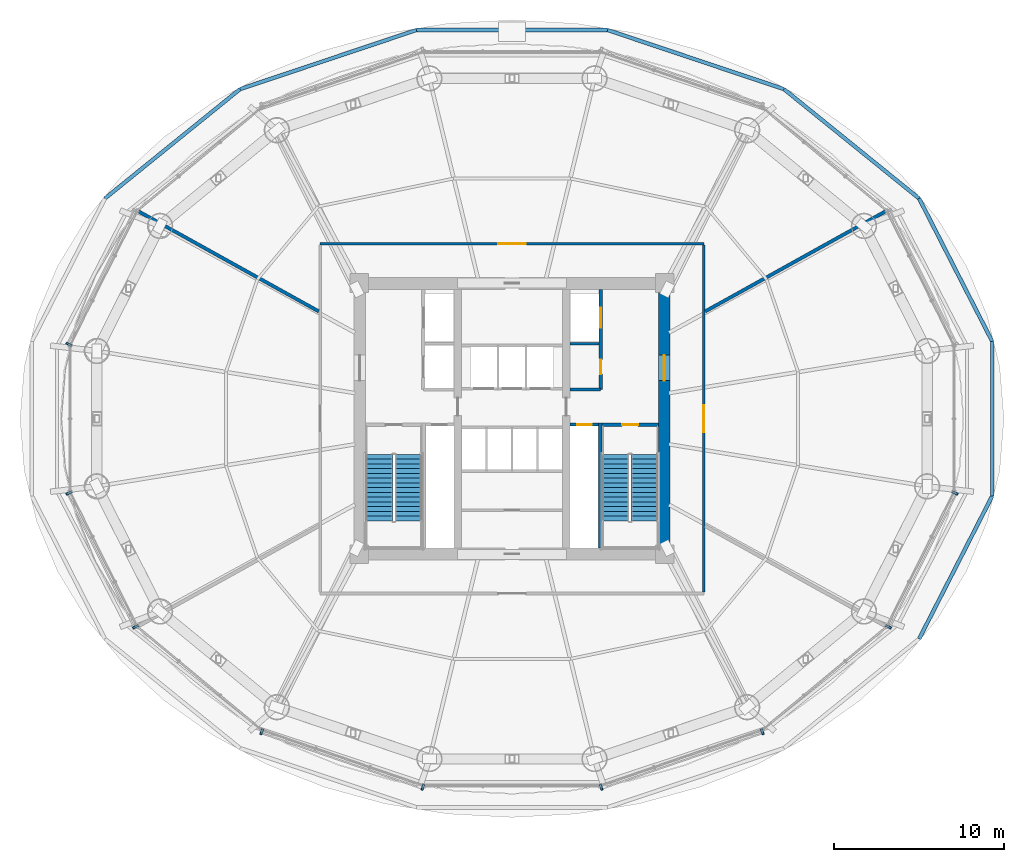
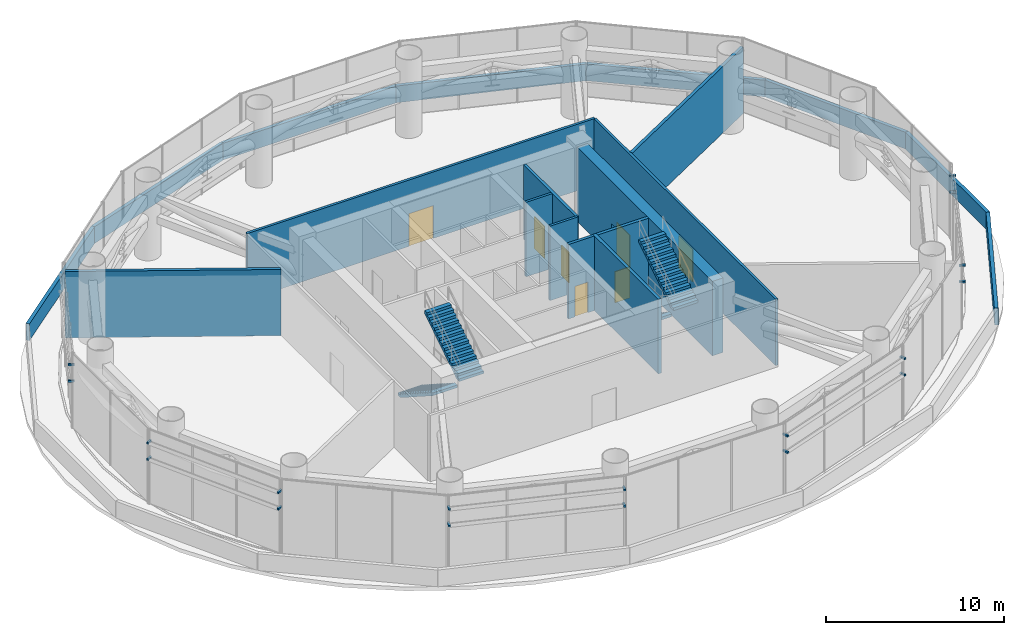
# One storey, part 29 of 33: 19 walls, 18 discrete accessories, 7 doors, 4 stair flights, 7 openings, 2 elements without a shape of their own.
"""IFC4 building model written with IfcOpenShell, lengths in metres."""

from ifc_helpers import new_model, si_unit, direction, frame, frame_2d, origin, origin_2d, place, context, subcontext, project, spatial, polyline, rectangle, outline, extrude, source, transform, mapped, material, layer, layer_set, type_object, element, fill, aggregate, save


model = new_model("IFC4")

# Units and contexts
model_context = context("Model", 3, precision=1e-05, world=origin(), true_north=direction((-0.2419218956, 0.970295726276)))
body_context = subcontext(model_context, "Body", "Model", "MODEL_VIEW")
ifc_project = project(units=[si_unit("LENGTHUNIT", "METRE"), si_unit("AREAUNIT", "SQUARE_METRE"), si_unit("VOLUMEUNIT", "CUBIC_METRE"), si_unit("PLANEANGLEUNIT", "RADIAN"), si_unit("MASSUNIT", "GRAM", prefix="KILO")], contexts=[model_context])

# Site, building, storey
site_placement = place(None, origin())
site = spatial("IfcSite", under=ifc_project, at=site_placement, CompositionType="ELEMENT")
building_placement = place(site_placement, origin())
building = spatial("IfcBuilding", under=site, at=building_placement, Name="Cobrevalo Terracotta Tower", CompositionType="ELEMENT")
storey_placement = place(building_placement, frame((0.0, 0.0, 74.39990234375)))
storey = spatial("IfcBuildingStorey", under=building, at=storey_placement, Name="L19", CompositionType="ELEMENT", Elevation=74.39990234375)

# Wall, opening, door
ifc_material_1 = material(Name="Concrete C60", Category="concrete")
ifc_layer_1 = layer(ifc_material_1, 0.699951171875)
ifc_layer_set_1 = layer_set([ifc_layer_1], Name="Concrete C60")
wall_type_1 = type_object("IfcWallType", Name="Core shear wall 700 mm Concrete C60", PredefinedType="SHEAR", material=ifc_layer_set_1)
wall_1_placement = place(storey_placement, frame((46.97509765625, 19.175048828125, 0.0), z_axis=(0.0, 0.0, 1.0), x_axis=(0.0, 1.0, 0.0)))
wall_1 = element("IfcWall", 1, at=wall_1_placement, inside=storey, type_object=wall_type_1, Name="L19 east core shear wall", PredefinedType="SHEAR", context=body_context, shape_type="SweptSolid", body=[
    extrude(rectangle(XDim=15.25, YDim=0.699951171875, at=frame_2d((7.625, 0.0))), origin(), (0.0, 0.0, 1.0), 5.125),
])
opening_1_placement = place(wall_1_placement, frame((9.875, 0.0, 0.0)))
opening_1 = element("IfcOpeningElement", 2, at=opening_1_placement, cuts=wall_1, Name="Opening ID-14", PredefinedType="OPENING", context=body_context, shape_type="SweptSolid", body=[
    extrude(rectangle(XDim=1.5, YDim=2.199951171875, at=frame_2d((0.75, 1.10009765625))), frame((0.0, 0.35986328125, 0.0), z_axis=(0.0, -1.0, 0.0), x_axis=(1.0, 0.0, 0.0)), (0.0, 0.0, 1.0), 0.719970703125),
])
ifc_material_2 = material(Name="Galvanized fire-rated steel", Category="steel")
door_type_1 = type_object("IfcDoorType", Name="Core cross-lobby double fire door 1500x2200 EI 90", OperationType="NOTDEFINED", PredefinedType="DOOR", material=ifc_material_2)
shared_shape_1 = source(origin(), body_context, "Body", "SweptSolid", [
    extrude(rectangle(XDim=1.5, YDim=2.199951171875, at=frame_2d((0.75, 1.10009765625))), frame((0.0, 0.02490234375, 0.0), z_axis=(0.0, -1.0, 0.0), x_axis=(1.0, 0.0, 0.0)), (0.0, 0.0, 1.0), 0.050048828125),
])
door_1_placement = place(opening_1_placement, frame((1.5, 0.0, 0.0), z_axis=(0.0, 0.0, 1.0), x_axis=(-1.0, 0.0, 0.0)))
door_1 = element("IfcDoor", 3, at=door_1_placement, inside=storey, type_object=door_type_1, Name="L19 east firefighting lobby entrance door", OperationType="DOUBLE_DOOR_SINGLE_SWING", OverallHeight=2.199951171875, OverallWidth=1.5, PredefinedType="DOOR", context=body_context, shape_type="MappedRepresentation", body=[
    mapped(shared_shape_1, transform((0.0, 0.0, 0.0), scale=1.0)),
])
fill(opening_1, door_1)

# Walls
ifc_material_3 = material(Name="Gypsum board on steel stud", Category="steel")
ifc_layer_2 = layer(ifc_material_3, 0.159912109375)
ifc_layer_set_2 = layer_set([ifc_layer_2], Name="Gypsum board on steel stud")
wall_type_2 = type_object("IfcWallType", Name="Fire-rated corridor acoustic partition wall 160 mm", PredefinedType="PARTITIONING", material=ifc_layer_set_2)
wall_2_placement = place(storey_placement, frame((41.425048828125, 31.219970703125, 0.0), z_axis=(0.0, 0.0, 1.0), x_axis=(1.0, 0.0, 0.0)))
element("IfcWall", 4, at=wall_2_placement, inside=storey, type_object=wall_type_2, Name="L19 interior partition IW-L19-FF2-M", PredefinedType="PARTITIONING", context=body_context, shape_type="SweptSolid", body=[
    extrude(rectangle(XDim=1.71484375, YDim=0.159912109375, at=frame_2d((0.857421875, 0.0))), origin(), (0.0, 0.0, 1.0), 5.125),
])
wall_3_placement = place(storey_placement, frame((41.425048828125, 28.52001953125, 0.0), z_axis=(0.0, 0.0, 1.0), x_axis=(1.0, 0.0, 0.0)))
element("IfcWall", 5, at=wall_3_placement, inside=storey, type_object=wall_type_2, Name="L19 interior partition IW-L19-FF2-S", PredefinedType="PARTITIONING", context=body_context, shape_type="SweptSolid", body=[
    extrude(rectangle(XDim=1.804931640625, YDim=0.159912109375, at=frame_2d((0.90234375, 0.0))), origin(), (0.0, 0.0, 1.0), 5.125),
])

# Wall, opening, door
wall_4_placement = place(storey_placement, frame((26.695068359375, 37.10498046875, 0.0), z_axis=(0.0, 0.0, 1.0), x_axis=(1.0, 0.0, 0.0)))
wall_4 = element("IfcWall", 6, at=wall_4_placement, inside=storey, type_object=wall_type_2, Name="L19 interior partition IW-L19-COR-N", PredefinedType="PARTITIONING", context=body_context, shape_type="SweptSolid", body=[
    extrude(rectangle(XDim=22.60986328125, YDim=0.159912109375, at=frame_2d((11.304931640625, 0.0))), origin(), (0.0, 0.0, 1.0), 4.567138671875),
])
opening_2_placement = place(wall_4_placement, frame((10.5048828125, 0.0, 0.0)))
opening_2 = element("IfcOpeningElement", 7, at=opening_2_placement, cuts=wall_4, Name="Opening ID-06", PredefinedType="OPENING", context=body_context, shape_type="SweptSolid", body=[
    extrude(rectangle(XDim=1.60009765625, YDim=2.25, at=frame_2d((0.800048828125, 1.125))), frame((0.0, 0.08984375, 0.0), z_axis=(0.0, -1.0, 0.0), x_axis=(1.0, 0.0, 0.0)), (0.0, 0.0, 1.0), 0.179931640625),
])
door_type_2 = type_object("IfcDoorType", Name="Plant & mechanical room double fire door 1600x2250 EI 90", OperationType="NOTDEFINED", PredefinedType="DOOR", material=ifc_material_2)
shared_shape_2 = source(origin(), body_context, "Body", "SweptSolid", [
    extrude(rectangle(XDim=1.60009765625, YDim=2.25, at=frame_2d((0.800048828125, 1.125))), frame((0.0, 0.02490234375, 0.0), z_axis=(0.0, -1.0, 0.0), x_axis=(1.0, 0.0, 0.0)), (0.0, 0.0, 1.0), 0.050048828125),
])
door_2_placement = place(opening_2_placement, origin())
door_2 = element("IfcDoor", 8, at=door_2_placement, inside=storey, type_object=door_type_2, Name="L19 Smoke Control and Electrical Plant North door", OperationType="DOUBLE_DOOR_SINGLE_SWING", OverallHeight=2.25, OverallWidth=1.60009765625, PredefinedType="DOOR", context=body_context, shape_type="MappedRepresentation", body=[
    mapped(shared_shape_2, transform((0.0, 0.0, 0.0), scale=1.0)),
])
fill(opening_2, door_2)

wall_5_placement = place(storey_placement, frame((49.304931640625, 16.574951171875, 0.0), z_axis=(0.0, 0.0, 1.0), x_axis=(0.0, 1.0, 0.0)))
wall_5 = element("IfcWall", 9, at=wall_5_placement, inside=storey, type_object=wall_type_2, Name="L19 interior partition IW-L19-COR-E", PredefinedType="PARTITIONING", context=body_context, shape_type="SweptSolid", body=[
    extrude(rectangle(XDim=20.449951171875, YDim=0.159912109375, at=frame_2d((10.22509765625, 0.0))), origin(), (0.0, 0.0, 1.0), 4.567138671875),
])
opening_3_placement = place(wall_5_placement, frame((9.425048828125, 0.0, 0.0)))
opening_3 = element("IfcOpeningElement", 10, at=opening_3_placement, cuts=wall_5, Name="Opening ID-06", PredefinedType="OPENING", context=body_context, shape_type="SweptSolid", body=[
    extrude(rectangle(XDim=1.60009765625, YDim=2.25, at=frame_2d((0.800048828125, 1.125))), frame((0.0, 0.08984375, 0.0), z_axis=(0.0, -1.0, 0.0), x_axis=(1.0, 0.0, 0.0)), (0.0, 0.0, 1.0), 0.179931640625),
])
door_3_placement = place(opening_3_placement, origin())
door_3 = element("IfcDoor", 11, at=door_3_placement, inside=storey, type_object=door_type_2, Name="L19 Hydronic Heat-Exchanger Plant East door", OperationType="DOUBLE_DOOR_SINGLE_SWING", OverallHeight=2.25, OverallWidth=1.60009765625, PredefinedType="DOOR", context=body_context, shape_type="MappedRepresentation", body=[
    mapped(shared_shape_2, transform((0.0, 0.0, 0.0), scale=1.0)),
])
fill(opening_3, door_3)

ifc_layer_3 = layer(ifc_material_3, 0.179931640625)
ifc_layer_set_3 = layer_set([ifc_layer_3], Name="Gypsum board on steel stud")
wall_type_3 = type_object("IfcWallType", Name="Fire-rated shaft & lobby acoustic partition wall 180 mm", PredefinedType="PARTITIONING", material=ifc_layer_set_3)
wall_6_placement = place(storey_placement, frame((41.425048828125, 26.449951171875, 0.0), z_axis=(0.0, 0.0, 1.0), x_axis=(1.0, 0.0, 0.0)))
wall_6 = element("IfcWall", 12, at=wall_6_placement, inside=storey, type_object=wall_type_3, Name="L19 interior partition IW-L19-RSE-N", PredefinedType="PARTITIONING", context=body_context, shape_type="SweptSolid", body=[
    extrude(rectangle(XDim=1.675048828125, YDim=0.179931640625, at=frame_2d((0.83740234375, 0.0))), origin(), (0.0, 0.0, 1.0), 5.125),
])
opening_4_placement = place(wall_6_placement, frame((0.41259765625, 0.0, 0.0)))
opening_4 = element("IfcOpeningElement", 13, at=opening_4_placement, cuts=wall_6, Name="Opening ID-22", PredefinedType="OPENING", context=body_context, shape_type="SweptSolid", body=[
    extrude(rectangle(XDim=0.85009765625, YDim=2.10009765625, at=frame_2d((0.425048828125, 1.050048828125))), frame((0.0, 0.10009765625, 0.0), z_axis=(0.0, -1.0, 0.0), x_axis=(1.0, 0.0, 0.0)), (0.0, 0.0, 1.0), 0.199951171875),
])
ifc_material_4 = material(Name="Powder-coated steel", Category="steel")
door_type_3 = type_object("IfcDoorType", Name="Riser shaft & meter closet fire access door 850x2100 EI 60", OperationType="NOTDEFINED", PredefinedType="DOOR", material=ifc_material_4)
shared_shape_3 = source(origin(), body_context, "Body", "SweptSolid", [
    extrude(rectangle(XDim=0.85009765625, YDim=2.10009765625, at=frame_2d((0.425048828125, 1.050048828125))), frame((0.0, 0.02490234375, 0.0), z_axis=(0.0, -1.0, 0.0), x_axis=(1.0, 0.0, 0.0)), (0.0, 0.0, 1.0), 0.050048828125),
])
door_4_placement = place(opening_4_placement, origin())
door_4 = element("IfcDoor", 14, at=door_4_placement, inside=storey, type_object=door_type_3, Name="L19 riser access door RSE", OperationType="SINGLE_SWING_RIGHT", OverallHeight=2.10009765625, OverallWidth=0.85009765625, PredefinedType="DOOR", context=body_context, shape_type="MappedRepresentation", body=[
    mapped(shared_shape_3, transform((0.0, 0.0, 0.0), scale=1.0)),
])
fill(opening_4, door_4)

# Wall, openings, doors
wall_7_placement = place(storey_placement, frame((43.22998046875, 28.52001953125, 0.0), z_axis=(0.0, 0.0, 1.0), x_axis=(0.0, 1.0, 0.0)))
wall_7 = element("IfcWall", 15, at=wall_7_placement, inside=storey, type_object=wall_type_3, Name="L19 interior partition IW-L19-FF2-E", PredefinedType="PARTITIONING", context=body_context, shape_type="SweptSolid", body=[
    extrude(rectangle(XDim=5.905029296875, YDim=0.179931640625, at=frame_2d((2.95263671875, 0.0))), origin(), (0.0, 0.0, 1.0), 5.125),
])
opening_5_placement = place(wall_7_placement, frame((0.905029296875, 0.0, 0.0)))
opening_5 = element("IfcOpeningElement", 16, at=opening_5_placement, cuts=wall_7, Name="Opening ID-22", PredefinedType="OPENING", context=body_context, shape_type="SweptSolid", body=[
    extrude(rectangle(XDim=0.85009765625, YDim=2.10009765625, at=frame_2d((0.425048828125, 1.050048828125))), frame((0.0, 0.10009765625, 0.0), z_axis=(0.0, -1.0, 0.0), x_axis=(1.0, 0.0, 0.0)), (0.0, 0.0, 1.0), 0.199951171875),
])
opening_6_placement = place(wall_7_placement, frame((3.655029296875, 0.0, 0.0)))
opening_6 = element("IfcOpeningElement", 17, at=opening_6_placement, cuts=wall_7, Name="Opening LD-02", PredefinedType="OPENING", context=body_context, shape_type="SweptSolid", body=[
    extrude(rectangle(XDim=1.14990234375, YDim=2.199951171875, at=frame_2d((0.574951171875, 1.10009765625))), frame((0.0, 0.10009765625, 0.0), z_axis=(0.0, -1.0, 0.0), x_axis=(1.0, 0.0, 0.0)), (0.0, 0.0, 1.0), 0.199951171875),
])
door_5_placement = place(opening_5_placement, frame((0.85009765625, 0.0, 0.0), z_axis=(0.0, 0.0, 1.0), x_axis=(-1.0, 0.0, 0.0)))
door_5 = element("IfcDoor", 18, at=door_5_placement, inside=storey, type_object=door_type_3, Name="L19 housekeeping store door", OperationType="SINGLE_SWING_RIGHT", OverallHeight=2.10009765625, OverallWidth=0.85009765625, PredefinedType="DOOR", context=body_context, shape_type="MappedRepresentation", body=[
    mapped(shared_shape_3, transform((0.0, 0.0, 0.0), scale=1.0)),
])
fill(opening_5, door_5)
ifc_material_5 = material(Name="Brushed stainless steel", Category="steel")
door_type_4 = type_object("IfcDoorType", Name="Firefighting lift landing bi-parting sliding door 1150x2200 EI 120", OperationType="DOUBLE_DOOR_SLIDING", PredefinedType="DOOR", material=ifc_material_5)
shared_shape_4 = source(origin(), body_context, "Body", "SweptSolid", [
    extrude(rectangle(XDim=1.14990234375, YDim=2.199951171875, at=frame_2d((0.574951171875, 1.10009765625))), frame((0.0, 0.02490234375, 0.0), z_axis=(0.0, -1.0, 0.0), x_axis=(1.0, 0.0, 0.0)), (0.0, 0.0, 1.0), 0.050048828125),
])
door_6_placement = place(opening_6_placement, origin())
door_6 = element("IfcDoor", 19, at=door_6_placement, inside=storey, type_object=door_type_4, Name="L19 lift landing door FF-2", OperationType="DOUBLE_DOOR_SLIDING", OverallHeight=2.199951171875, OverallWidth=1.14990234375, PredefinedType="DOOR", context=body_context, shape_type="MappedRepresentation", body=[
    mapped(shared_shape_4, transform((0.0, 0.0, 0.0), scale=1.0)),
])
fill(opening_6, door_6)

# Walls
ifc_material_6 = material(Name="Autoclaved aerated concrete block", Category="concrete")
ifc_layer_4 = layer(ifc_material_6, 0.199951171875)
ifc_layer_set_4 = layer_set([ifc_layer_4], Name="Autoclaved aerated concrete block")
wall_type_4 = type_object("IfcWallType", Name="Fire-rated stair, shaft & demising masonry wall 200 mm", PredefinedType="PARTITIONING", material=ifc_layer_set_4)
wall_8_placement = place(storey_placement, frame((26.614990234375, 33.120361328125, 0.0), z_axis=(0.0, 0.0, 1.0), x_axis=(-0.87431374927, 0.485361172569, 0.0)))
element("IfcWall", 20, at=wall_8_placement, inside=storey, type_object=wall_type_4, Name="L19 interior partition IW-L19-PW1", PredefinedType="PARTITIONING", context=body_context, shape_type="SweptSolid", body=[
    extrude(rectangle(XDim=12.14013671875, YDim=0.199951171875, at=frame_2d((6.070068359375, 0.0))), origin(), (0.0, 0.0, 1.0), 4.567138671875),
])
wall_9_placement = place(storey_placement, frame((49.38671875, 33.121337890625, 0.0), z_axis=(0.0, 0.0, 1.0), x_axis=(0.874314722833, 0.48535941882, 0.0)))
element("IfcWall", 21, at=wall_9_placement, inside=storey, type_object=wall_type_4, Name="L19 interior partition IW-L19-PW4", PredefinedType="PARTITIONING", context=body_context, shape_type="SweptSolid", body=[
    extrude(rectangle(XDim=12.13818359375, YDim=0.199951171875, at=frame_2d((6.069091796875, 0.0))), origin(), (0.0, 0.0, 1.0), 4.567138671875),
])
ifc_material_7 = material(Name="Precast concrete C45", Category="concrete")
ifc_layer_5 = layer(ifc_material_7, 0.219970703125)
ifc_layer_set_5 = layer_set([ifc_layer_5], Name="Precast concrete C45")
wall_type_5 = type_object("IfcWallType", Name="Precast concrete roof and setback terrace parapet wall 220 mm", PredefinedType="PARAPET", material=ifc_layer_set_5)
wall_10_placement = place(storey_placement, frame((66.305419921875, 31.357421875, 0.0), z_axis=(0.0, 0.0, 1.0), x_axis=(-0.455566661308, 0.890201672153, 0.0)))
element("IfcWall", 22, at=wall_10_placement, inside=storey, type_object=wall_type_5, Name="L19 setback roof concrete parapet 01", PredefinedType="PARAPET", context=body_context, shape_type="SweptSolid", body=[
    extrude(rectangle(XDim=9.459228515625, YDim=0.219970703125, at=frame_2d((4.7294921875, 0.0))), origin(), (0.0, 0.0, 1.0), 1.150146484375),
])
wall_11_placement = place(storey_placement, frame((61.99609375, 39.778076171875, 0.0), z_axis=(0.0, 0.0, 1.0), x_axis=(-0.777277615045, 0.629157777628, 0.0)))
element("IfcWall", 23, at=wall_11_placement, inside=storey, type_object=wall_type_5, Name="L19 setback roof concrete parapet 02", PredefinedType="PARAPET", context=body_context, shape_type="SweptSolid", body=[
    extrude(rectangle(XDim=10.243896484375, YDim=0.219970703125, at=frame_2d((5.1220703125, 0.0))), origin(), (0.0, 0.0, 1.0), 1.150146484375),
])
wall_12_placement = place(storey_placement, frame((54.03369140625, 46.22314453125, 0.0), z_axis=(0.0, 0.0, 1.0), x_axis=(-0.948127810737, 0.317889374636, 0.0)))
element("IfcWall", 24, at=wall_12_placement, inside=storey, type_object=wall_type_5, Name="L19 setback roof concrete parapet 03", PredefinedType="PARAPET", context=body_context, shape_type="SweptSolid", body=[
    extrude(rectangle(XDim=10.972412109375, YDim=0.219970703125, at=frame_2d((5.486328125, 0.0))), origin(), (0.0, 0.0, 1.0), 1.150146484375),
])
wall_13_placement = place(storey_placement, frame((43.63037109375, 49.711181640625, 0.0), z_axis=(0.0, 0.0, 1.0), x_axis=(-1.0, 0.0, 0.0)))
element("IfcWall", 25, at=wall_13_placement, inside=storey, type_object=wall_type_5, Name="L19 setback roof concrete parapet 04", PredefinedType="PARAPET", context=body_context, shape_type="SweptSolid", body=[
    extrude(rectangle(XDim=11.2607421875, YDim=0.219970703125, at=frame_2d((5.63037109375, 0.0))), origin(), (0.0, 0.0, 1.0), 1.150146484375),
])
wall_14_placement = place(storey_placement, frame((32.36962890625, 49.711181640625, 0.0), z_axis=(0.0, 0.0, 1.0), x_axis=(-0.948127810737, -0.317889374636, 0.0)))
element("IfcWall", 26, at=wall_14_placement, inside=storey, type_object=wall_type_5, Name="L19 setback roof concrete parapet 05", PredefinedType="PARAPET", context=body_context, shape_type="SweptSolid", body=[
    extrude(rectangle(XDim=10.972412109375, YDim=0.219970703125, at=frame_2d((5.486328125, 0.0))), origin(), (0.0, 0.0, 1.0), 1.150146484375),
])
wall_15_placement = place(storey_placement, frame((21.96630859375, 46.22314453125, 0.0), z_axis=(0.0, 0.0, 1.0), x_axis=(-0.777277615045, -0.629157777628, 0.0)))
element("IfcWall", 27, at=wall_15_placement, inside=storey, type_object=wall_type_5, Name="L19 setback roof concrete parapet 06", PredefinedType="PARAPET", context=body_context, shape_type="SweptSolid", body=[
    extrude(rectangle(XDim=10.243896484375, YDim=0.219970703125, at=frame_2d((5.1220703125, 0.0))), origin(), (0.0, 0.0, 1.0), 1.150146484375),
])
wall_16_placement = place(storey_placement, frame((61.99609375, 13.82177734375, 0.0), z_axis=(0.0, 0.0, 1.0), x_axis=(0.455556194499, 0.890207028535, 0.0)))
element("IfcWall", 28, at=wall_16_placement, inside=storey, type_object=wall_type_5, Name="L19 setback roof concrete parapet 15", PredefinedType="PARAPET", context=body_context, shape_type="SweptSolid", body=[
    extrude(rectangle(XDim=9.45947265625, YDim=0.219970703125, at=frame_2d((4.729736328125, 0.0))), origin(), (0.0, 0.0, 1.0), 1.150146484375),
])
wall_17_placement = place(storey_placement, frame((66.305419921875, 22.24267578125, 0.0), z_axis=(0.0, 0.0, 1.0), x_axis=(0.0, 1.0, 0.0)))
element("IfcWall", 29, at=wall_17_placement, inside=storey, type_object=wall_type_5, Name="L19 setback roof concrete parapet 16", PredefinedType="PARAPET", context=body_context, shape_type="SweptSolid", body=[
    extrude(rectangle(XDim=9.11474609375, YDim=0.219970703125, at=frame_2d((4.557373046875, 0.0))), origin(), (0.0, 0.0, 1.0), 1.150146484375),
])
ifc_material_8 = material(Name="Concrete C50", Category="concrete")
ifc_layer_6 = layer(ifc_material_8, 0.199951171875)
ifc_layer_set_6 = layer_set([ifc_layer_6], Name="Concrete C50")
wall_type_6 = type_object("IfcWallType", Name="Structural core & podium stair-shaft RC wall 200 mm Concrete C50", PredefinedType="SOLIDWALL", material=ifc_layer_set_6)
wall_18_placement = place(storey_placement, frame((43.205078125, 19.175048828125, 0.0), z_axis=(0.0, 0.0, 1.0), x_axis=(0.0, 1.0, 0.0)))
element("IfcWall", 30, at=wall_18_placement, inside=storey, type_object=wall_type_6, Name="L19 ST-2 west structural shaft wall", PredefinedType="SOLIDWALL", context=body_context, shape_type="SweptSolid", body=[
    extrude(rectangle(XDim=7.375, YDim=0.199951171875, at=frame_2d((3.6875, 0.0))), origin(), (0.0, 0.0, 1.0), 5.125),
])

# Wall, opening, door
wall_19_placement = place(storey_placement, frame((43.304931640625, 26.449951171875, 0.0), z_axis=(0.0, 0.0, 1.0), x_axis=(1.0, 0.0, 0.0)))
wall_19 = element("IfcWall", 31, at=wall_19_placement, inside=storey, type_object=wall_type_6, Name="L19 ST-2 north structural shaft wall", PredefinedType="SOLIDWALL", context=body_context, shape_type="SweptSolid", body=[
    extrude(rectangle(XDim=3.320068359375, YDim=0.199951171875, at=frame_2d((1.66015625, 0.0))), origin(), (0.0, 0.0, 1.0), 5.125),
])
opening_7_placement = place(wall_19_placement, frame((1.18505859375, 0.0, 0.0)))
opening_7 = element("IfcOpeningElement", 32, at=opening_7_placement, cuts=wall_19, Name="Opening ID-04", PredefinedType="OPENING", context=body_context, shape_type="SweptSolid", body=[
    extrude(rectangle(XDim=0.949951171875, YDim=2.14990234375, at=frame_2d((0.47509765625, 1.074951171875))), frame((0.0, 0.10986328125, 0.0), z_axis=(0.0, -1.0, 0.0), x_axis=(1.0, 0.0, 0.0)), (0.0, 0.0, 1.0), 0.219970703125),
])
door_type_5 = type_object("IfcDoorType", Name="Stair & firefighting lobby fire door 950x2150 EI 90", OperationType="NOTDEFINED", PredefinedType="DOOR", material=ifc_material_2)
shared_shape_5 = source(origin(), body_context, "Body", "SweptSolid", [
    extrude(rectangle(XDim=0.949951171875, YDim=2.14990234375, at=frame_2d((0.47509765625, 1.074951171875))), frame((0.0, 0.02490234375, 0.0), z_axis=(0.0, -1.0, 0.0), x_axis=(1.0, 0.0, 0.0)), (0.0, 0.0, 1.0), 0.050048828125),
])
door_7_placement = place(opening_7_placement, frame((0.949951171875, 0.0, 0.0), z_axis=(0.0, 0.0, 1.0), x_axis=(-1.0, 0.0, 0.0)))
door_7 = element("IfcDoor", 33, at=door_7_placement, inside=storey, type_object=door_type_5, Name="L19 protected stair ST2 fire door", OperationType="SINGLE_SWING_RIGHT", OverallHeight=2.14990234375, OverallWidth=0.949951171875, PredefinedType="DOOR", context=body_context, shape_type="MappedRepresentation", body=[
    mapped(shared_shape_5, transform((0.0, 0.0, 0.0), scale=1.0)),
])
fill(opening_7, door_7)

# Stair, stair flights
stair_type = type_object("IfcStairType", Name="Core protected escape dogleg stair 1600", PredefinedType="HALF_TURN_STAIR", material=ifc_material_8)
stair_1_placement = place(storey_placement, origin())
stair_1 = element("IfcStair", 34, at=stair_1_placement, inside=storey, type_object=stair_type, Name="L19 Protected exit stair ST-1", PredefinedType="HALF_TURN_STAIR")
stair_flight_type = type_object("IfcStairFlightType", Name="Core protected escape dogleg stair 1600 flight", PredefinedType="STRAIGHT", material=ifc_material_8)
stair_flight_1_placement = place(storey_placement, frame((30.175048828125, 24.699951171875, 0.0), z_axis=(0.0, 0.0, 1.0), x_axis=(0.0, -1.0, 0.0)))
stair_flight_1 = element("IfcStairFlight", 35, at=stair_flight_1_placement, type_object=stair_flight_type, Name="ST-1 flight 1", NumberOfRisers=15, NumberOfTreads=14, PredefinedType="STRAIGHT", RiserHeight=0.18, TreadLength=0.28, context=body_context, shape_type="SweptSolid", body=[
    extrude(outline(polyline([(0.0, 0.0), (0.0, 0.179931640625), (0.280029296875, 0.179931640625), (0.280029296875, 0.360107421875), (0.56005859375, 0.360107421875), (0.56005859375, 0.5400390625), (0.840087890625, 0.5400390625), (0.840087890625, 0.719970703125), (1.1201171875, 0.719970703125), (1.1201171875, 0.89990234375), (1.39990234375, 0.89990234375), (1.39990234375, 1.080078125), (1.679931640625, 1.080078125), (1.679931640625, 1.260009765625), (1.9599609375, 1.260009765625), (1.9599609375, 1.43994140625), (2.239990234375, 1.43994140625), (2.239990234375, 1.6201171875), (2.52001953125, 1.6201171875), (2.52001953125, 1.800048828125), (2.800048828125, 1.800048828125), (2.800048828125, 1.97998046875), (3.080078125, 1.97998046875), (3.080078125, 2.159912109375), (3.360107421875, 2.159912109375), (3.360107421875, 2.340087890625), (3.639892578125, 2.340087890625), (3.639892578125, 2.52001953125), (3.919921875, 2.52001953125), (3.919921875, 2.699951171875), (3.919921875, 2.329833984375), (0.295654296875, 0.0), (0.0, 0.0)])), frame((0.0, 0.800048828125, 0.0), z_axis=(0.0, -1.0, 0.0), x_axis=(1.0, 0.0, 0.0)), (0.0, 0.0, 1.0), 1.60009765625),
])
stair_flight_2_placement = place(storey_placement, frame((31.89501953125, 20.780029296875, 2.7001953125), z_axis=(0.0, 0.0, 1.0), x_axis=(0.0, 1.0, 0.0)))
stair_flight_2 = element("IfcStairFlight", 36, at=stair_flight_2_placement, type_object=stair_flight_type, Name="ST-1 flight 2", NumberOfRisers=15, NumberOfTreads=14, PredefinedType="STRAIGHT", RiserHeight=0.18, TreadLength=0.28, context=body_context, shape_type="SweptSolid", body=[
    extrude(outline(polyline([(0.0, 0.0), (0.0, 0.179931640625), (0.280029296875, 0.179931640625), (0.280029296875, 0.360107421875), (0.56005859375, 0.360107421875), (0.56005859375, 0.5400390625), (0.840087890625, 0.5400390625), (0.840087890625, 0.719970703125), (1.1201171875, 0.719970703125), (1.1201171875, 0.89990234375), (1.39990234375, 0.89990234375), (1.39990234375, 1.080078125), (1.679931640625, 1.080078125), (1.679931640625, 1.260009765625), (1.9599609375, 1.260009765625), (1.9599609375, 1.43994140625), (2.239990234375, 1.43994140625), (2.239990234375, 1.6201171875), (2.52001953125, 1.6201171875), (2.52001953125, 1.800048828125), (2.800048828125, 1.800048828125), (2.800048828125, 1.97998046875), (3.080078125, 1.97998046875), (3.080078125, 2.159912109375), (3.360107421875, 2.159912109375), (3.360107421875, 2.340087890625), (3.639892578125, 2.340087890625), (3.639892578125, 2.52001953125), (3.919921875, 2.52001953125), (3.919921875, 2.699951171875), (3.919921875, 2.329833984375), (0.295654296875, 0.0), (0.0, 0.0)])), frame((0.0, 0.800048828125, 0.0), z_axis=(0.0, -1.0, 0.0), x_axis=(1.0, 0.0, 0.0)), (0.0, 0.0, 1.0), 1.60009765625),
])
aggregate(stair_1, [stair_flight_1, stair_flight_2])

stair_2_placement = place(storey_placement, origin())
stair_2 = element("IfcStair", 37, at=stair_2_placement, inside=storey, type_object=stair_type, Name="L19 Protected exit stair ST-2", PredefinedType="HALF_TURN_STAIR")
stair_flight_3_placement = place(storey_placement, frame((44.10498046875, 24.699951171875, 0.0), z_axis=(0.0, 0.0, 1.0), x_axis=(0.0, -1.0, 0.0)))
stair_flight_3 = element("IfcStairFlight", 38, at=stair_flight_3_placement, type_object=stair_flight_type, Name="ST-2 flight 1", NumberOfRisers=15, NumberOfTreads=14, PredefinedType="STRAIGHT", RiserHeight=0.18, TreadLength=0.28, context=body_context, shape_type="SweptSolid", body=[
    extrude(outline(polyline([(0.0, 0.0), (0.0, 0.179931640625), (0.280029296875, 0.179931640625), (0.280029296875, 0.360107421875), (0.56005859375, 0.360107421875), (0.56005859375, 0.5400390625), (0.840087890625, 0.5400390625), (0.840087890625, 0.719970703125), (1.1201171875, 0.719970703125), (1.1201171875, 0.89990234375), (1.39990234375, 0.89990234375), (1.39990234375, 1.080078125), (1.679931640625, 1.080078125), (1.679931640625, 1.260009765625), (1.9599609375, 1.260009765625), (1.9599609375, 1.43994140625), (2.239990234375, 1.43994140625), (2.239990234375, 1.6201171875), (2.52001953125, 1.6201171875), (2.52001953125, 1.800048828125), (2.800048828125, 1.800048828125), (2.800048828125, 1.97998046875), (3.080078125, 1.97998046875), (3.080078125, 2.159912109375), (3.360107421875, 2.159912109375), (3.360107421875, 2.340087890625), (3.639892578125, 2.340087890625), (3.639892578125, 2.52001953125), (3.919921875, 2.52001953125), (3.919921875, 2.699951171875), (3.919921875, 2.329833984375), (0.295654296875, 0.0), (0.0, 0.0)])), frame((0.0, 0.800048828125, 0.0), z_axis=(0.0, -1.0, 0.0), x_axis=(1.0, 0.0, 0.0)), (0.0, 0.0, 1.0), 1.60009765625),
])
stair_flight_4_placement = place(storey_placement, frame((45.824951171875, 20.780029296875, 2.7001953125), z_axis=(0.0, 0.0, 1.0), x_axis=(0.0, 1.0, 0.0)))
stair_flight_4 = element("IfcStairFlight", 39, at=stair_flight_4_placement, type_object=stair_flight_type, Name="ST-2 flight 2", NumberOfRisers=15, NumberOfTreads=14, PredefinedType="STRAIGHT", RiserHeight=0.18, TreadLength=0.28, context=body_context, shape_type="SweptSolid", body=[
    extrude(outline(polyline([(0.0, 0.0), (0.0, 0.179931640625), (0.280029296875, 0.179931640625), (0.280029296875, 0.360107421875), (0.56005859375, 0.360107421875), (0.56005859375, 0.5400390625), (0.840087890625, 0.5400390625), (0.840087890625, 0.719970703125), (1.1201171875, 0.719970703125), (1.1201171875, 0.89990234375), (1.39990234375, 0.89990234375), (1.39990234375, 1.080078125), (1.679931640625, 1.080078125), (1.679931640625, 1.260009765625), (1.9599609375, 1.260009765625), (1.9599609375, 1.43994140625), (2.239990234375, 1.43994140625), (2.239990234375, 1.6201171875), (2.52001953125, 1.6201171875), (2.52001953125, 1.800048828125), (2.800048828125, 1.800048828125), (2.800048828125, 1.97998046875), (3.080078125, 1.97998046875), (3.080078125, 2.159912109375), (3.360107421875, 2.159912109375), (3.360107421875, 2.340087890625), (3.639892578125, 2.340087890625), (3.639892578125, 2.52001953125), (3.919921875, 2.52001953125), (3.919921875, 2.699951171875), (3.919921875, 2.329833984375), (0.295654296875, 0.0), (0.0, 0.0)])), frame((0.0, 0.800048828125, 0.0), z_axis=(0.0, -1.0, 0.0), x_axis=(1.0, 0.0, 0.0)), (0.0, 0.0, 1.0), 1.60009765625),
])
aggregate(stair_2, [stair_flight_3, stair_flight_4])

# Discrete accessories
ifc_layer_7 = layer(ifc_material_5, 0.1201171875)
ifc_layer_set_7 = layer_set([ifc_layer_7], Name="Brushed stainless steel")
discrete_accessory_type = type_object("IfcDiscreteAccessoryType", Name="Stainless Steel Facade & Canopy Support Bracket", PredefinedType="BRACKET", material=ifc_layer_set_7)
shared_shape_6 = source(origin(), body_context, "Body", "SweptSolid", [
    extrude(rectangle(XDim=0.1201171875, YDim=0.360107421875, at=origin_2d()), origin(), (0.0, 0.0, 1.0), 0.1201171875),
])
for number, where, z_axis, x_axis, name in (
    (40, (11.8779296875, 31.181640625, 3.117431640625), (0.0, 0.0, 1.0), (-0.446261852127, -0.894902430065, 0.0), "CW-LV-L19-S07 stainless baguette support bracket 1-B"),
    (41, (11.8779296875, 31.181640625, 4.2451171875), (0.0, 0.0, 1.0), (-0.446261852127, -0.894902430065, 0.0), "CW-LV-L19-S07 stainless baguette support bracket 2-B"),
    (42, (11.8779296875, 22.41845703125, 3.117431640625), (0.0, 0.0, 1.0), (0.446261852127, -0.894902430065, 0.0), "CW-LV-L19-S09 stainless baguette support bracket 1-A"),
    (43, (15.8095703125, 14.5341796875, 3.117431640625), (0.0, 0.0, 1.0), (0.446261852127, -0.894902430065, 0.0), "CW-LV-L19-S09 stainless baguette support bracket 1-B"),
    (44, (11.8779296875, 22.41845703125, 4.2451171875), (0.0, 0.0, 1.0), (0.446261852127, -0.894902430065, 0.0), "CW-LV-L19-S09 stainless baguette support bracket 2-A"),
    (45, (15.8095703125, 14.5341796875, 4.2451171875), (0.0, 0.0, 1.0), (0.446261852127, -0.894902430065, 0.0), "CW-LV-L19-S09 stainless baguette support bracket 2-B"),
    (46, (23.2470703125, 8.351318359375, 3.117431640625), (0.0, 0.0, 1.0), (0.945596395206, -0.325342062104, 0.0), "CW-LV-L19-S11 stainless baguette support bracket 1-A"),
    (47, (32.749267578125, 5.08203125, 3.117431640625), (0.0, 0.0, 1.0), (0.945596395206, -0.325342062104, 0.0), "CW-LV-L19-S11 stainless baguette support bracket 1-B"),
    (48, (23.2470703125, 8.351318359375, 4.2451171875), (0.0, 0.0, 1.0), (0.945596395206, -0.325342062104, 0.0), "CW-LV-L19-S11 stainless baguette support bracket 2-A"),
    (49, (32.749267578125, 5.08203125, 4.2451171875), (0.0, 0.0, 1.0), (0.945596395206, -0.325342062104, 0.0), "CW-LV-L19-S11 stainless baguette support bracket 2-B"),
    (50, (43.250732421875, 5.08203125, 3.117431640625), (0.0, 0.0, 1.0), (0.945596395206, 0.325342062104, 0.0), "CW-LV-L19-S13 stainless baguette support bracket 1-A"),
    (51, (52.7529296875, 8.351318359375, 3.117431640625), (0.0, 0.0, 1.0), (0.945596395206, 0.325342062104, 0.0), "CW-LV-L19-S13 stainless baguette support bracket 1-B"),
    (52, (43.250732421875, 5.08203125, 4.2451171875), (0.0, 0.0, 1.0), (0.945596395206, 0.325342062104, 0.0), "CW-LV-L19-S13 stainless baguette support bracket 2-A"),
    (53, (52.7529296875, 8.351318359375, 4.2451171875), (0.0, 0.0, 1.0), (0.945596395206, 0.325342062104, 0.0), "CW-LV-L19-S13 stainless baguette support bracket 2-B"),
    (54, (60.1904296875, 14.5341796875, 3.117431640625), (0.0, 0.0, 1.0), (0.446261852127, 0.894902430065, 0.0), "CW-LV-L19-S15 stainless baguette support bracket 1-A"),
    (55, (64.1220703125, 22.41845703125, 3.117431640625), (0.0, 0.0, 1.0), (0.446261852127, 0.894902430065, 0.0), "CW-LV-L19-S15 stainless baguette support bracket 1-B"),
    (56, (60.1904296875, 14.5341796875, 4.2451171875), (0.0, 0.0, 1.0), (0.446261852127, 0.894902430065, 0.0), "CW-LV-L19-S15 stainless baguette support bracket 2-A"),
    (57, (64.1220703125, 22.41845703125, 4.2451171875), (0.0, 0.0, 1.0), (0.446261852127, 0.894902430065, 0.0), "CW-LV-L19-S15 stainless baguette support bracket 2-B"),
):
    element("IfcDiscreteAccessory", number, at=place(storey_placement, frame(where, z_axis=z_axis, x_axis=x_axis)), inside=storey, type_object=discrete_accessory_type, Name=name, PredefinedType="BRACKET", context=body_context, shape_type="MappedRepresentation", body=[
        mapped(shared_shape_6, transform((0.0, 0.0, 0.0), scale=1.0)),
    ])

save(model, "model.ifc")
